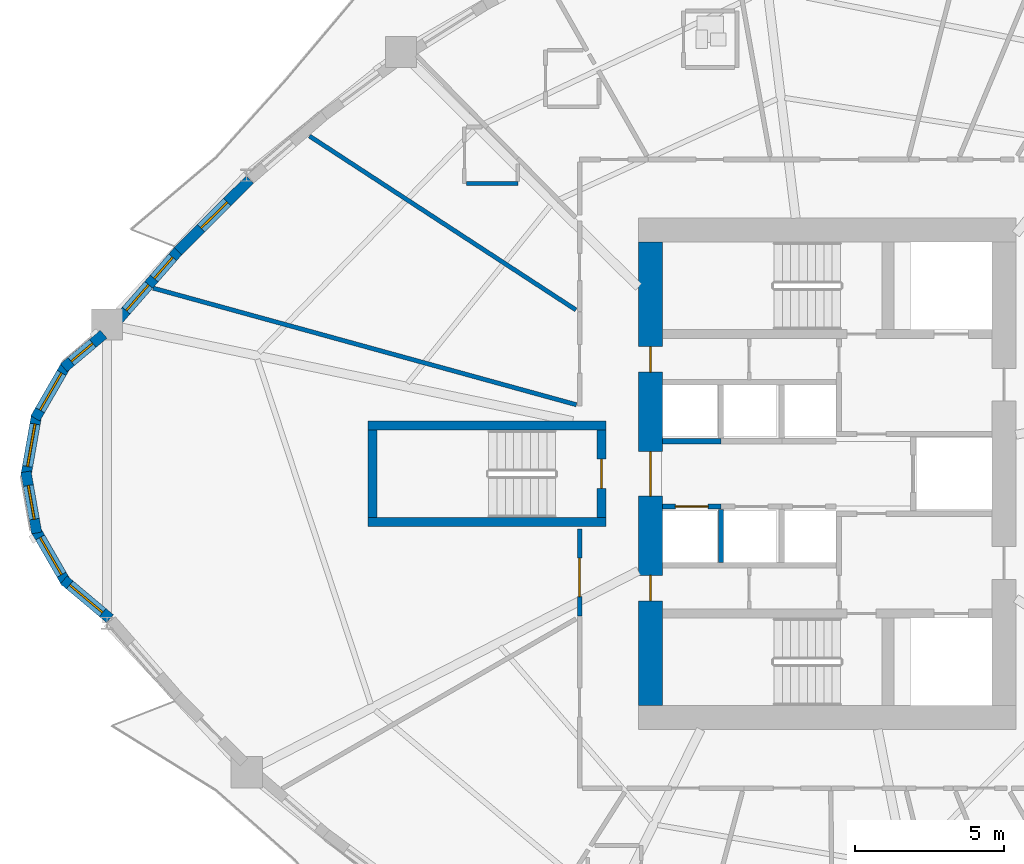
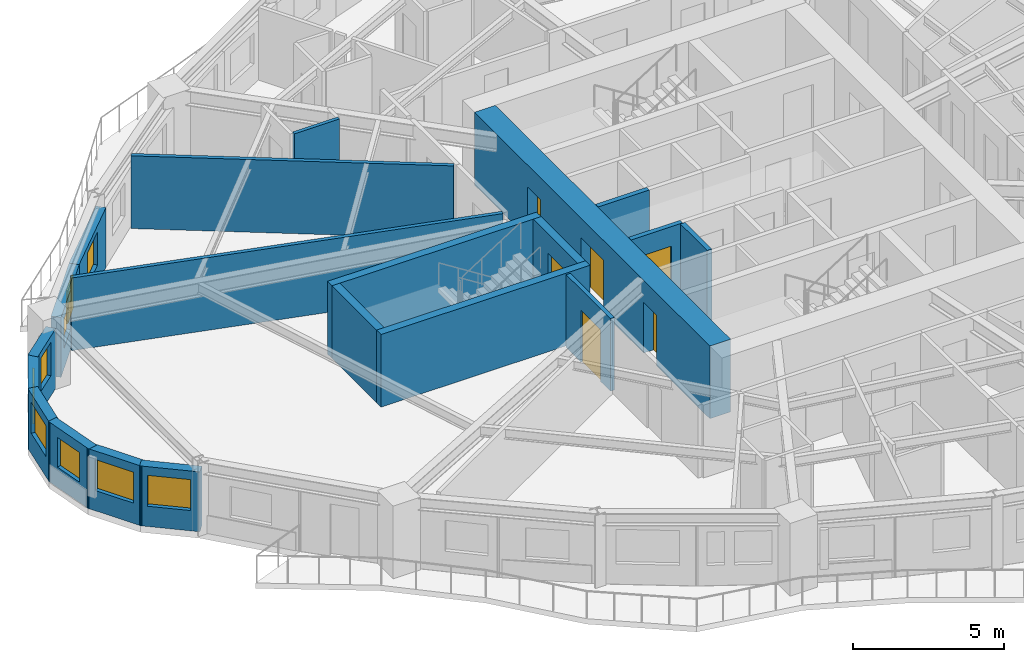
# One storey, part 4 of 13: 20 walls, 9 windows, 6 doors, 15 openings.
"""IFC4 building model written with IfcOpenShell, lengths in metres."""

from ifc_helpers import new_model, si_unit, direction, frame, frame_2d, origin, place, context, subcontext, project, spatial, rectangle, extrude, source, transform, mapped, material, layer, layer_set, type_object, element, fill, save


model = new_model("IFC4")

# Units and contexts
model_context = context("Model", 3, precision=1e-05, world=origin(), true_north=direction((0.0, 1.0)))
body_context = subcontext(model_context, "Body", "Model", "MODEL_VIEW")
ifc_project = project(units=[si_unit("LENGTHUNIT", "METRE"), si_unit("AREAUNIT", "SQUARE_METRE"), si_unit("VOLUMEUNIT", "CUBIC_METRE"), si_unit("PLANEANGLEUNIT", "RADIAN"), si_unit("MASSUNIT", "GRAM", prefix="KILO")], contexts=[model_context])

# Site, building, storey
site_placement = place(None, origin())
site = spatial("IfcSite", under=ifc_project, at=site_placement, CompositionType="ELEMENT")
building_placement = place(site_placement, origin())
building = spatial("IfcBuilding", under=site, at=building_placement, Name="Qafzar Sky-Pleat Residences", CompositionType="ELEMENT")
storey_placement = place(building_placement, frame((0.0, 0.0, 49.39990234375)))
storey = spatial("IfcBuildingStorey", under=building, at=storey_placement, Name="L14", CompositionType="ELEMENT", Elevation=49.39990234375)

# Wall, opening, door
ifc_material_1 = material(Name="Acoustic gypsum plasterboard partition", Category="gypsum")
ifc_layer_1 = layer(ifc_material_1, 0.159912109375)
ifc_layer_set_1 = layer_set([ifc_layer_1], Name="Acoustic gypsum plasterboard partition")
wall_type_1 = type_object("IfcWallType", Name="PART-COR-160", PredefinedType="PARTITIONING", material=ifc_layer_set_1)
wall_1_placement = place(storey_placement, frame((22.02001953125, 21.220947265625, 0.0), z_axis=(0.0, 0.0, 1.0), x_axis=(0.0, 1.0, 0.0)))
wall_1 = element("IfcWall", 1, at=wall_1_placement, inside=storey, type_object=wall_type_1, Name="L14 Partition Wall PART-L14-PW-009", PredefinedType="PARTITIONING", context=body_context, shape_type="SweptSolid", body=[
    extrude(rectangle(XDim=2.928955078125, YDim=0.159912109375, at=frame_2d((1.46435546875, 0.0))), origin(), (0.0, 0.0, 1.0), 2.940185546875),
])
opening_1_placement = place(wall_1_placement, frame((0.64501953125, 0.0, 0.0)))
opening_1 = element("IfcOpeningElement", 2, at=opening_1_placement, cuts=wall_1, Name="Opening ID-05", PredefinedType="OPENING", context=body_context, shape_type="SweptSolid", body=[
    extrude(rectangle(XDim=1.300048828125, YDim=2.10009765625, at=frame_2d((0.64990234375, 1.050048828125))), frame((0.0, 0.08984375, 0.0), z_axis=(0.0, -1.0, 0.0), x_axis=(1.0, 0.0, 0.0)), (0.0, 0.0, 1.0), 0.179931640625),
])
ifc_material_2 = material(Name="Timber-faced fire door", Category="wood")
door_type_1 = type_object("IfcDoorType", Name="DR-LNG-1300", OperationType="DOUBLE_DOOR_SINGLE_SWING", PredefinedType="DOOR", material=ifc_material_2)
shared_shape_1 = source(origin(), body_context, "Body", "SweptSolid", [
    extrude(rectangle(XDim=1.300048828125, YDim=2.10009765625, at=frame_2d((0.64990234375, 1.050048828125))), frame((0.0, 0.02490234375, 0.0), z_axis=(0.0, -1.0, 0.0), x_axis=(1.0, 0.0, 0.0)), (0.0, 0.0, 1.0), 0.050048828125),
])
door_1_placement = place(opening_1_placement, origin())
door_1 = element("IfcDoor", 3, at=door_1_placement, inside=storey, type_object=door_type_1, Name="L14 Academic Seminar Room Door", OperationType="DOUBLE_DOOR_SINGLE_SWING", OverallHeight=2.10009765625, OverallWidth=1.300048828125, PredefinedType="DOOR", context=body_context, shape_type="MappedRepresentation", body=[
    mapped(shared_shape_1, transform((0.0, 0.0, 0.0), x_axis=(1.0, 0.0, 0.0), y_axis=(0.0, 1.0, 0.0), z_axis=(0.0, 0.0, 1.0), scale=1.0)),
])
fill(opening_1, door_1)

ifc_material_3 = material(Name="Concrete blockwork partition", Category="masonry")
ifc_layer_2 = layer(ifc_material_3, 0.179931640625)
ifc_layer_set_2 = layer_set([ifc_layer_2], Name="Concrete blockwork partition")
wall_type_2 = type_object("IfcWallType", Name="PART-SHAFT-180", PredefinedType="PARTITIONING", material=ifc_layer_set_2)
wall_2_placement = place(storey_placement, frame((24.81005859375, 24.89990234375, 0.0), z_axis=(0.0, 0.0, 1.0), x_axis=(1.0, 0.0, 0.0)))
wall_2 = element("IfcWall", 4, at=wall_2_placement, inside=storey, type_object=wall_type_2, Name="L14 Partition Wall PART-L14-P1-N", PredefinedType="PARTITIONING", context=body_context, shape_type="SweptSolid", body=[
    extrude(rectangle(XDim=1.96484375, YDim=0.179931640625, at=frame_2d((0.982421875, 0.0))), origin(), (0.0, 0.0, 1.0), 2.940185546875),
])
opening_2_placement = place(wall_2_placement, frame((0.4326171875, 0.0, 0.0)))
opening_2 = element("IfcOpeningElement", 5, at=opening_2_placement, cuts=wall_2, Name="Opening LD-01", PredefinedType="OPENING", context=body_context, shape_type="SweptSolid", body=[
    extrude(rectangle(XDim=1.10009765625, YDim=2.14990234375, at=frame_2d((0.550048828125, 1.074951171875))), frame((0.0, 0.10009765625, 0.0), z_axis=(0.0, -1.0, 0.0), x_axis=(1.0, 0.0, 0.0)), (0.0, 0.0, 1.0), 0.199951171875),
])
ifc_material_4 = material(Name="Stainless steel sliding landing door", Category="steel")
door_type_2 = type_object("IfcDoorType", Name="DR-LIFT-P", OperationType="DOUBLE_DOOR_SLIDING", PredefinedType="DOOR", material=ifc_material_4)
shared_shape_2 = source(origin(), body_context, "Body", "SweptSolid", [
    extrude(rectangle(XDim=1.10009765625, YDim=2.14990234375, at=frame_2d((0.550048828125, 1.074951171875))), frame((0.0, 0.02490234375, 0.0), z_axis=(0.0, -1.0, 0.0), x_axis=(1.0, 0.0, 0.0)), (0.0, 0.0, 1.0), 0.050048828125),
])
door_2_placement = place(opening_2_placement, origin())
door_2 = element("IfcDoor", 6, at=door_2_placement, inside=storey, type_object=door_type_2, Name="L14 Passenger Lift P1 Landing Door", OperationType="DOUBLE_DOOR_SLIDING", OverallHeight=2.14990234375, OverallWidth=1.10009765625, PredefinedType="DOOR", context=body_context, shape_type="MappedRepresentation", body=[
    mapped(shared_shape_2, transform((0.0, 0.0, 0.0), x_axis=(1.0, 0.0, 0.0), y_axis=(0.0, 1.0, 0.0), z_axis=(0.0, 0.0, 1.0), scale=1.0)),
])
fill(opening_2, door_2)

# Walls
wall_3_placement = place(storey_placement, frame((26.77490234375, 23.02001953125, 0.0), z_axis=(0.0, 0.0, 1.0), x_axis=(0.0, 1.0, 0.0)))
element("IfcWall", 7, at=wall_3_placement, inside=storey, type_object=wall_type_2, Name="L14 Partition Wall PART-L14-P13-DIV-1", PredefinedType="PARTITIONING", context=body_context, shape_type="SweptSolid", body=[
    extrude(rectangle(XDim=1.780029296875, YDim=0.179931640625, at=frame_2d((0.89013671875, 0.0))), origin(), (0.0, 0.0, 1.0), 2.940185546875),
])
wall_4_placement = place(storey_placement, frame((24.81005859375, 27.10009765625, 0.0), z_axis=(0.0, 0.0, 1.0), x_axis=(1.0, 0.0, 0.0)))
element("IfcWall", 8, at=wall_4_placement, inside=storey, type_object=wall_type_2, Name="L14 Partition Wall PART-L14-P4-S", PredefinedType="PARTITIONING", context=body_context, shape_type="SweptSolid", body=[
    extrude(rectangle(XDim=1.96484375, YDim=0.179931640625, at=frame_2d((0.982421875, 0.0))), origin(), (0.0, 0.0, 1.0), 2.940185546875),
])
ifc_layer_3 = layer(ifc_material_1, 0.14501953125)
ifc_layer_set_3 = layer_set([ifc_layer_3], Name="Acoustic gypsum plasterboard partition")
wall_type_3 = type_object("IfcWallType", Name="PART-UNIT-145", PredefinedType="PARTITIONING", material=ifc_layer_set_3)
wall_5_placement = place(storey_placement, frame((7.668212890625, 32.247802734375, 0.0), z_axis=(0.0, 0.0, 1.0), x_axis=(0.964084579717, -0.265595412521, 0.0)))
element("IfcWall", 9, at=wall_5_placement, inside=storey, type_object=wall_type_3, Name="L14 Partition Wall PART-L14-PW-030", PredefinedType="PARTITIONING", context=body_context, shape_type="SweptSolid", body=[
    extrude(rectangle(XDim=14.775634765625, YDim=0.14501953125, at=frame_2d((7.3876953125, 0.0))), origin(), (0.0, 0.0, 1.0), 2.940185546875),
])
wall_6_placement = place(storey_placement, frame((12.9287109375, 37.36474609375, 0.0), z_axis=(0.0, 0.0, 1.0), x_axis=(0.83754252852, -0.54637213776, 0.0)))
element("IfcWall", 10, at=wall_6_placement, inside=storey, type_object=wall_type_3, Name="L14 Partition Wall PART-L14-PW-036", PredefinedType="PARTITIONING", context=body_context, shape_type="SweptSolid", body=[
    extrude(rectangle(XDim=10.7041015625, YDim=0.14501953125, at=frame_2d((5.35205078125, 0.0))), origin(), (0.0, 0.0, 1.0), 2.940185546875),
])
ifc_material_5 = material(Name="Moisture-resistant gypsum partition", Category="gypsum")
ifc_layer_4 = layer(ifc_material_5, 0.1298828125)
ifc_layer_set_4 = layer_set([ifc_layer_4], Name="Moisture-resistant gypsum partition")
wall_type_4 = type_object("IfcWallType", Name="PART-WET-130", PredefinedType="PARTITIONING", material=ifc_layer_set_4)
wall_7_placement = place(storey_placement, frame((18.2109375, 35.763916015625, 0.0), z_axis=(0.0, 0.0, 1.0), x_axis=(1.0, 0.0, 0.0)))
element("IfcWall", 11, at=wall_7_placement, inside=storey, type_object=wall_type_4, Name="L14 Partition Wall PART-L14-PW-066", PredefinedType="PARTITIONING", context=body_context, shape_type="SweptSolid", body=[
    extrude(rectangle(XDim=1.72705078125, YDim=0.1298828125, at=frame_2d((0.863525390625, 0.0))), origin(), (0.0, 0.0, 1.0), 2.940185546875),
])

# Wall, opening, window
ifc_material_6 = material(Name="Precast concrete C40/50 with honed Riyadh limestone", Category="concrete")
ifc_layer_5 = layer(ifc_material_6, 0.35009765625)
ifc_layer_set_5 = layer_set([ifc_layer_5], Name="Precast concrete C40/50 with honed Riyadh limestone")
wall_type_5 = type_object("IfcWallType", Name="WALL-EXT-350", PredefinedType="SOLIDWALL", material=ifc_layer_set_5)
wall_8_placement = place(storey_placement, frame((6.002685546875, 30.696044921875, 0.0), z_axis=(0.0, 0.0, 1.0), x_axis=(-0.766001205563, -0.64283913468, 0.0)))
wall_8 = element("IfcWall", 12, at=wall_8_placement, inside=storey, type_object=wall_type_5, Name="L14 Limestone Facade Wall 1", PredefinedType="SOLIDWALL", context=body_context, shape_type="SweptSolid", body=[
    extrude(rectangle(XDim=1.75244140625, YDim=0.35009765625, at=frame_2d((0.876220703125, 0.0))), origin(), (0.0, 0.0, 1.0), 2.420166015625),
])
opening_3_placement = place(wall_8_placement, frame((0.476318359375, 0.0, 0.820068359375)))
opening_3 = element("IfcOpeningElement", 13, at=opening_3_placement, cuts=wall_8, Name="Opening WN-12", PredefinedType="OPENING", context=body_context, shape_type="SweptSolid", body=[
    extrude(rectangle(XDim=0.949951171875, YDim=1.35009765625, at=frame_2d((0.47509765625, 0.675048828125))), frame((0.0, 0.18505859375, 0.0), z_axis=(0.0, -1.0, 0.0), x_axis=(1.0, 0.0, 0.0)), (0.0, 0.0, 1.0), 0.3701171875),
])
ifc_material_7 = material(Name="Solar-control low-E glass in bronze aluminium frame", Category="glass")
window_type_1 = type_object("IfcWindowType", Name="WIN-12", PartitioningType="SINGLE_PANEL", PredefinedType="WINDOW", material=ifc_material_7)
shared_shape_3 = source(origin(), body_context, "Body", "SweptSolid", [
    extrude(rectangle(XDim=0.949951171875, YDim=1.35009765625, at=frame_2d((0.47509765625, 0.675048828125))), frame((0.0, 0.030029296875, 0.0), z_axis=(0.0, -1.0, 0.0), x_axis=(1.0, 0.0, 0.0)), (0.0, 0.0, 1.0), 0.06005859375),
])
window_1_placement = place(opening_3_placement, origin())
window_1 = element("IfcWindow", 14, at=window_1_placement, inside=storey, type_object=window_type_1, Name="L14 Punched Facade Window 01", OverallHeight=1.35009765625, OverallWidth=0.949951171875, PartitioningType="SINGLE_PANEL", PredefinedType="WINDOW", context=body_context, shape_type="MappedRepresentation", body=[
    mapped(shared_shape_3, transform((0.0, 0.0, 0.0), x_axis=(1.0, 0.0, 0.0), y_axis=(0.0, 1.0, 0.0), z_axis=(0.0, 0.0, 1.0), scale=1.0)),
])
fill(opening_3, window_1)

wall_9_placement = place(storey_placement, frame((4.74755859375, 29.673583984375, 0.0), z_axis=(0.0, 0.0, 1.0), x_axis=(-0.499995423472, -0.866028046028, 0.0)))
wall_9 = element("IfcWall", 15, at=wall_9_placement, inside=storey, type_object=wall_type_5, Name="L14 Limestone Facade Wall 2", PredefinedType="SOLIDWALL", context=body_context, shape_type="SweptSolid", body=[
    extrude(rectangle(XDim=2.09033203125, YDim=0.35009765625, at=frame_2d((1.045166015625, 0.0))), origin(), (0.0, 0.0, 1.0), 2.420166015625),
])
opening_4_placement = place(wall_9_placement, frame((0.3203125, 0.0, 0.820068359375)))
opening_4 = element("IfcOpeningElement", 16, at=opening_4_placement, cuts=wall_9, Name="Opening WN-15", PredefinedType="OPENING", context=body_context, shape_type="SweptSolid", body=[
    extrude(rectangle(XDim=1.449951171875, YDim=1.25, at=frame_2d((0.72509765625, 0.625))), frame((0.0, 0.18505859375, 0.0), z_axis=(0.0, -1.0, 0.0), x_axis=(1.0, 0.0, 0.0)), (0.0, 0.0, 1.0), 0.3701171875),
])
window_type_2 = type_object("IfcWindowType", Name="WIN-15", PartitioningType="SINGLE_PANEL", PredefinedType="WINDOW", material=ifc_material_7)
shared_shape_4 = source(origin(), body_context, "Body", "SweptSolid", [
    extrude(rectangle(XDim=1.449951171875, YDim=1.25, at=frame_2d((0.72509765625, 0.625))), frame((0.0, 0.030029296875, 0.0), z_axis=(0.0, -1.0, 0.0), x_axis=(1.0, 0.0, 0.0)), (0.0, 0.0, 1.0), 0.06005859375),
])
window_2_placement = place(opening_4_placement, origin())
window_2 = element("IfcWindow", 17, at=window_2_placement, inside=storey, type_object=window_type_2, Name="L14 Punched Facade Window 02", OverallHeight=1.25, OverallWidth=1.449951171875, PartitioningType="SINGLE_PANEL", PredefinedType="WINDOW", context=body_context, shape_type="MappedRepresentation", body=[
    mapped(shared_shape_4, transform((0.0, 0.0, 0.0), x_axis=(1.0, 0.0, 0.0), y_axis=(0.0, 1.0, 0.0), z_axis=(0.0, 0.0, 1.0), scale=1.0)),
])
fill(opening_4, window_2)

wall_10_placement = place(storey_placement, frame((3.748779296875, 27.99072265625, 0.0), z_axis=(0.0, 0.0, 1.0), x_axis=(-0.173672066494, -0.984803540469, 0.0)))
wall_10 = element("IfcWall", 18, at=wall_10_placement, inside=storey, type_object=wall_type_5, Name="L14 Limestone Facade Wall 3", PredefinedType="SOLIDWALL", context=body_context, shape_type="SweptSolid", body=[
    extrude(rectangle(XDim=2.09033203125, YDim=0.35009765625, at=frame_2d((1.045166015625, 0.0))), origin(), (0.0, 0.0, 1.0), 2.420166015625),
])
opening_5_placement = place(wall_10_placement, frame((0.3203125, 0.0, 0.820068359375)))
opening_5 = element("IfcOpeningElement", 19, at=opening_5_placement, cuts=wall_10, Name="Opening WN-15", PredefinedType="OPENING", context=body_context, shape_type="SweptSolid", body=[
    extrude(rectangle(XDim=1.449951171875, YDim=1.25, at=frame_2d((0.72509765625, 0.625))), frame((0.0, 0.18505859375, 0.0), z_axis=(0.0, -1.0, 0.0), x_axis=(1.0, 0.0, 0.0)), (0.0, 0.0, 1.0), 0.3701171875),
])
window_3_placement = place(opening_5_placement, origin())
window_3 = element("IfcWindow", 20, at=window_3_placement, inside=storey, type_object=window_type_2, Name="L14 Punched Facade Window 03", OverallHeight=1.25, OverallWidth=1.449951171875, PartitioningType="SINGLE_PANEL", PredefinedType="WINDOW", context=body_context, shape_type="MappedRepresentation", body=[
    mapped(shared_shape_4, transform((0.0, 0.0, 0.0), x_axis=(1.0, 0.0, 0.0), y_axis=(0.0, 1.0, 0.0), z_axis=(0.0, 0.0, 1.0), scale=1.0)),
])
fill(opening_5, window_3)

wall_11_placement = place(storey_placement, frame((3.3857421875, 26.06787109375, 0.0), z_axis=(0.0, 0.0, 1.0), x_axis=(0.173672066494, -0.984803540469, 0.0)))
wall_11 = element("IfcWall", 21, at=wall_11_placement, inside=storey, type_object=wall_type_5, Name="L14 Limestone Facade Wall 4", PredefinedType="SOLIDWALL", context=body_context, shape_type="SweptSolid", body=[
    extrude(rectangle(XDim=2.09033203125, YDim=0.35009765625, at=frame_2d((1.045166015625, 0.0))), origin(), (0.0, 0.0, 1.0), 2.420166015625),
])
opening_6_placement = place(wall_11_placement, frame((0.47021484375, 0.0, 0.820068359375)))
opening_6 = element("IfcOpeningElement", 22, at=opening_6_placement, cuts=wall_11, Name="Opening WN-16", PredefinedType="OPENING", context=body_context, shape_type="SweptSolid", body=[
    extrude(rectangle(XDim=1.14990234375, YDim=1.199951171875, at=frame_2d((0.574951171875, 0.60009765625))), frame((0.0, 0.18505859375, 0.0), z_axis=(0.0, -1.0, 0.0), x_axis=(1.0, 0.0, 0.0)), (0.0, 0.0, 1.0), 0.3701171875),
])
window_type_3 = type_object("IfcWindowType", Name="WIN-16", PartitioningType="SINGLE_PANEL", PredefinedType="WINDOW", material=ifc_material_7)
shared_shape_5 = source(origin(), body_context, "Body", "SweptSolid", [
    extrude(rectangle(XDim=1.14990234375, YDim=1.199951171875, at=frame_2d((0.574951171875, 0.60009765625))), frame((0.0, 0.030029296875, 0.0), z_axis=(0.0, -1.0, 0.0), x_axis=(1.0, 0.0, 0.0)), (0.0, 0.0, 1.0), 0.06005859375),
])
window_4_placement = place(opening_6_placement, origin())
window_4 = element("IfcWindow", 23, at=window_4_placement, inside=storey, type_object=window_type_3, Name="L14 Punched Facade Window 04", OverallHeight=1.199951171875, OverallWidth=1.14990234375, PartitioningType="SINGLE_PANEL", PredefinedType="WINDOW", context=body_context, shape_type="MappedRepresentation", body=[
    mapped(shared_shape_5, transform((0.0, 0.0, 0.0), x_axis=(1.0, 0.0, 0.0), y_axis=(0.0, 1.0, 0.0), z_axis=(0.0, 0.0, 1.0), scale=1.0)),
])
fill(opening_6, window_4)

wall_12_placement = place(storey_placement, frame((3.702392578125, 24.13671875, 0.0), z_axis=(0.0, 0.0, 1.0), x_axis=(0.499995423472, -0.866028046028, 0.0)))
wall_12 = element("IfcWall", 24, at=wall_12_placement, inside=storey, type_object=wall_type_5, Name="L14 Limestone Facade Wall 5", PredefinedType="SOLIDWALL", context=body_context, shape_type="SweptSolid", body=[
    extrude(rectangle(XDim=2.09033203125, YDim=0.35009765625, at=frame_2d((1.045166015625, 0.0))), origin(), (0.0, 0.0, 1.0), 2.420166015625),
])
opening_7_placement = place(wall_12_placement, frame((0.3203125, 0.0, 0.820068359375)))
opening_7 = element("IfcOpeningElement", 25, at=opening_7_placement, cuts=wall_12, Name="Opening WN-15", PredefinedType="OPENING", context=body_context, shape_type="SweptSolid", body=[
    extrude(rectangle(XDim=1.449951171875, YDim=1.25, at=frame_2d((0.72509765625, 0.625))), frame((0.0, 0.18505859375, 0.0), z_axis=(0.0, -1.0, 0.0), x_axis=(1.0, 0.0, 0.0)), (0.0, 0.0, 1.0), 0.3701171875),
])
window_5_placement = place(opening_7_placement, origin())
window_5 = element("IfcWindow", 26, at=window_5_placement, inside=storey, type_object=window_type_2, Name="L14 Punched Facade Window 05", OverallHeight=1.25, OverallWidth=1.449951171875, PartitioningType="SINGLE_PANEL", PredefinedType="WINDOW", context=body_context, shape_type="MappedRepresentation", body=[
    mapped(shared_shape_4, transform((0.0, 0.0, 0.0), x_axis=(1.0, 0.0, 0.0), y_axis=(0.0, 1.0, 0.0), z_axis=(0.0, 0.0, 1.0), scale=1.0)),
])
fill(opening_7, window_5)

wall_13_placement = place(storey_placement, frame((4.660400390625, 22.430419921875, 0.0), z_axis=(0.0, 0.0, 1.0), x_axis=(0.766040796373, -0.642791955684, 0.0)))
wall_13 = element("IfcWall", 27, at=wall_13_placement, inside=storey, type_object=wall_type_5, Name="L14 Limestone Facade Wall 6", PredefinedType="SOLIDWALL", context=body_context, shape_type="SweptSolid", body=[
    extrude(rectangle(XDim=2.032470703125, YDim=0.35009765625, at=frame_2d((1.01611328125, 0.0))), origin(), (0.0, 0.0, 1.0), 2.420166015625),
])
opening_8_placement = place(wall_13_placement, frame((0.26123046875, 0.0, 0.820068359375)))
opening_8 = element("IfcOpeningElement", 28, at=opening_8_placement, cuts=wall_13, Name="Opening WN-15", PredefinedType="OPENING", context=body_context, shape_type="SweptSolid", body=[
    extrude(rectangle(XDim=1.449951171875, YDim=1.25, at=frame_2d((0.72509765625, 0.625))), frame((0.0, 0.18505859375, 0.0), z_axis=(0.0, -1.0, 0.0), x_axis=(1.0, 0.0, 0.0)), (0.0, 0.0, 1.0), 0.3701171875),
])
window_6_placement = place(opening_8_placement, origin())
window_6 = element("IfcWindow", 29, at=window_6_placement, inside=storey, type_object=window_type_2, Name="L14 Punched Facade Window 06", OverallHeight=1.25, OverallWidth=1.449951171875, PartitioningType="SINGLE_PANEL", PredefinedType="WINDOW", context=body_context, shape_type="MappedRepresentation", body=[
    mapped(shared_shape_4, transform((0.0, 0.0, 0.0), x_axis=(1.0, 0.0, 0.0), y_axis=(0.0, 1.0, 0.0), z_axis=(0.0, 0.0, 1.0), scale=1.0)),
])
fill(opening_8, window_6)

wall_14_placement = place(storey_placement, frame((10.924072265625, 35.9033203125, 0.0), z_axis=(0.0, 0.0, 1.0), x_axis=(-0.708390611179, -0.705820616016, 0.0)))
wall_14 = element("IfcWall", 30, at=wall_14_placement, inside=storey, type_object=wall_type_5, Name="L14 Limestone Facade Wall 47", PredefinedType="SOLIDWALL", context=body_context, shape_type="SweptSolid", body=[
    extrude(rectangle(XDim=3.419921875, YDim=0.35009765625, at=frame_2d((1.7099609375, 0.0))), origin(), (0.0, 0.0, 1.0), 2.420166015625),
])
opening_9_placement = place(wall_14_placement, frame((1.074951171875, 0.0, 0.820068359375)))
opening_9 = element("IfcOpeningElement", 31, at=opening_9_placement, cuts=wall_14, Name="Opening WN-11", PredefinedType="OPENING", context=body_context, shape_type="SweptSolid", body=[
    extrude(rectangle(XDim=1.25, YDim=1.35009765625, at=frame_2d((0.625, 0.675048828125))), frame((0.0, 0.18505859375, 0.0), z_axis=(0.0, -1.0, 0.0), x_axis=(1.0, 0.0, 0.0)), (0.0, 0.0, 1.0), 0.3701171875),
])
window_type_4 = type_object("IfcWindowType", Name="WIN-11", PartitioningType="SINGLE_PANEL", PredefinedType="WINDOW", material=ifc_material_7)
shared_shape_6 = source(origin(), body_context, "Body", "SweptSolid", [
    extrude(rectangle(XDim=1.25, YDim=1.35009765625, at=frame_2d((0.625, 0.675048828125))), frame((0.0, 0.030029296875, 0.0), z_axis=(0.0, -1.0, 0.0), x_axis=(1.0, 0.0, 0.0)), (0.0, 0.0, 1.0), 0.06005859375),
])
window_7_placement = place(opening_9_placement, origin())
window_7 = element("IfcWindow", 32, at=window_7_placement, inside=storey, type_object=window_type_4, Name="L14 Punched Facade Window 47", OverallHeight=1.35009765625, OverallWidth=1.25, PartitioningType="SINGLE_PANEL", PredefinedType="WINDOW", context=body_context, shape_type="MappedRepresentation", body=[
    mapped(shared_shape_6, transform((0.0, 0.0, 0.0), x_axis=(1.0, 0.0, 0.0), y_axis=(0.0, 1.0, 0.0), z_axis=(0.0, 0.0, 1.0), scale=1.0)),
])
fill(opening_9, window_7)

# Wall, openings, windows
wall_15_placement = place(storey_placement, frame((8.5615234375, 33.5537109375, 0.0), z_axis=(0.0, 0.0, 1.0), x_axis=(-0.657600137419, -0.753367147722, 0.0)))
wall_15 = element("IfcWall", 33, at=wall_15_placement, inside=storey, type_object=wall_type_5, Name="L14 Limestone Facade Wall 48", PredefinedType="SOLIDWALL", context=body_context, shape_type="SweptSolid", body=[
    extrude(rectangle(XDim=3.212158203125, YDim=0.35009765625, at=frame_2d((1.60595703125, 0.0))), origin(), (0.0, 0.0, 1.0), 2.420166015625),
])
opening_10_placement = place(wall_15_placement, frame((0.355712890625, 0.0, 0.820068359375)))
opening_10 = element("IfcOpeningElement", 34, at=opening_10_placement, cuts=wall_15, Name="Opening WN-12", PredefinedType="OPENING", context=body_context, shape_type="SweptSolid", body=[
    extrude(rectangle(XDim=0.949951171875, YDim=1.35009765625, at=frame_2d((0.47509765625, 0.675048828125))), frame((0.0, 0.18505859375, 0.0), z_axis=(0.0, -1.0, 0.0), x_axis=(1.0, 0.0, 0.0)), (0.0, 0.0, 1.0), 0.3701171875),
])
opening_11_placement = place(wall_15_placement, frame((1.587158203125, 0.0, 0.820068359375)))
opening_11 = element("IfcOpeningElement", 35, at=opening_11_placement, cuts=wall_15, Name="Opening WN-16", PredefinedType="OPENING", context=body_context, shape_type="SweptSolid", body=[
    extrude(rectangle(XDim=1.14990234375, YDim=1.199951171875, at=frame_2d((0.574951171875, 0.60009765625))), frame((0.0, 0.18505859375, 0.0), z_axis=(0.0, -1.0, 0.0), x_axis=(1.0, 0.0, 0.0)), (0.0, 0.0, 1.0), 0.3701171875),
])
window_8_placement = place(opening_10_placement, origin())
window_8 = element("IfcWindow", 36, at=window_8_placement, inside=storey, type_object=window_type_1, Name="L14 Punched Facade Window 48", OverallHeight=1.35009765625, OverallWidth=0.949951171875, PartitioningType="SINGLE_PANEL", PredefinedType="WINDOW", context=body_context, shape_type="MappedRepresentation", body=[
    mapped(shared_shape_3, transform((0.0, 0.0, 0.0), x_axis=(1.0, 0.0, 0.0), y_axis=(0.0, 1.0, 0.0), z_axis=(0.0, 0.0, 1.0), scale=1.0)),
])
fill(opening_10, window_8)
window_9_placement = place(opening_11_placement, origin())
window_9 = element("IfcWindow", 37, at=window_9_placement, inside=storey, type_object=window_type_3, Name="L14 Punched Facade Window 48-2", OverallHeight=1.199951171875, OverallWidth=1.14990234375, PartitioningType="SINGLE_PANEL", PredefinedType="WINDOW", context=body_context, shape_type="MappedRepresentation", body=[
    mapped(shared_shape_5, transform((0.0, 0.0, 0.0), x_axis=(1.0, 0.0, 0.0), y_axis=(0.0, 1.0, 0.0), z_axis=(0.0, 0.0, 1.0), scale=1.0)),
])
fill(opening_11, window_9)

# Walls
ifc_material_8 = material(Name="Concrete C60/75", Category="concrete")
ifc_layer_6 = layer(ifc_material_8, 0.300048828125)
ifc_layer_set_6 = layer_set([ifc_layer_6], Name="Concrete C60/75")
wall_type_6 = type_object("IfcWallType", Name="WALL-SHEAR-300", PredefinedType="SHEAR", material=ifc_layer_set_6)
for number, where, z_axis, x_axis, name in (
    (38, (14.89990234375, 24.375, 0.0), (0.0, 0.0, 1.0), (1.0, 0.0, 0.0), "L14 ST3 wall S"),
    (39, (22.89990234375, 27.625, 0.0), (0.0, 0.0, 1.0), (-1.0, 0.0, 0.0), "L14 ST3 wall N"),
):
    element("IfcWall", number, at=place(storey_placement, frame(where, z_axis=z_axis, x_axis=x_axis)), inside=storey, type_object=wall_type_6, Name=name, PredefinedType="SHEAR", context=body_context, shape_type="SweptSolid", body=[
        extrude(rectangle(XDim=8.0, YDim=0.300048828125, at=frame_2d((4.0, 0.0))), origin(), (0.0, 0.0, 1.0), 2.940185546875),
    ])
wall_16_placement = place(storey_placement, frame((15.050048828125, 27.47509765625, 0.0), z_axis=(0.0, 0.0, 1.0), x_axis=(0.0, -1.0, 0.0)))
element("IfcWall", 40, at=wall_16_placement, inside=storey, type_object=wall_type_6, Name="L14 ST3 wall W", PredefinedType="SHEAR", context=body_context, shape_type="SweptSolid", body=[
    extrude(rectangle(XDim=2.9501953125, YDim=0.300048828125, at=frame_2d((1.47509765625, 0.0))), origin(), (0.0, 0.0, 1.0), 2.940185546875),
])

# Wall, opening, door
wall_17_placement = place(storey_placement, frame((22.75, 24.52490234375, 0.0), z_axis=(0.0, 0.0, 1.0), x_axis=(0.0, 1.0, 0.0)))
wall_17 = element("IfcWall", 41, at=wall_17_placement, inside=storey, type_object=wall_type_6, Name="L14 ST3 wall E", PredefinedType="SHEAR", context=body_context, shape_type="SweptSolid", body=[
    extrude(rectangle(XDim=2.9501953125, YDim=0.300048828125, at=frame_2d((1.47509765625, 0.0))), origin(), (0.0, 0.0, 1.0), 2.940185546875),
])
opening_12_placement = place(wall_17_placement, frame((0.985107421875, 0.0, 0.0)))
opening_12 = element("IfcOpeningElement", 42, at=opening_12_placement, cuts=wall_17, Name="Opening ID-01", PredefinedType="OPENING", context=body_context, shape_type="SweptSolid", body=[
    extrude(rectangle(XDim=0.97998046875, YDim=2.14990234375, at=frame_2d((0.489990234375, 1.074951171875))), frame((0.0, 0.16015625, 0.0), z_axis=(0.0, -1.0, 0.0), x_axis=(1.0, 0.0, 0.0)), (0.0, 0.0, 1.0), 0.320068359375),
])
door_type_3 = type_object("IfcDoorType", Name="DR-STAIR-980", OperationType="NOTDEFINED", PredefinedType="DOOR", material=ifc_material_2)
shared_shape_7 = source(origin(), body_context, "Body", "SweptSolid", [
    extrude(rectangle(XDim=0.97998046875, YDim=2.14990234375, at=frame_2d((0.489990234375, 1.074951171875))), frame((0.0, 0.02490234375, 0.0), z_axis=(0.0, -1.0, 0.0), x_axis=(1.0, 0.0, 0.0)), (0.0, 0.0, 1.0), 0.050048828125),
])
door_3_placement = place(opening_12_placement, origin())
door_3 = element("IfcDoor", 43, at=door_3_placement, inside=storey, type_object=door_type_3, Name="L14 Stair ST3 Fire Door", OperationType="SINGLE_SWING_RIGHT", OverallHeight=2.14990234375, OverallWidth=0.97998046875, PredefinedType="DOOR", context=body_context, shape_type="MappedRepresentation", body=[
    mapped(shared_shape_7, transform((0.0, 0.0, 0.0), x_axis=(1.0, 0.0, 0.0), y_axis=(0.0, 1.0, 0.0), z_axis=(0.0, 0.0, 1.0), scale=1.0)),
])
fill(opening_12, door_3)

# Wall, openings, doors
ifc_layer_7 = layer(ifc_material_8, 0.800048828125)
ifc_layer_set_7 = layer_set([ifc_layer_7], Name="Concrete C60/75")
wall_type_7 = type_object("IfcWallType", Name="WALL-SHEAR-800", PredefinedType="SHEAR", material=ifc_layer_set_7)
wall_18_placement = place(storey_placement, frame((24.39990234375, 33.800048828125, 0.0), z_axis=(0.0, 0.0, 1.0), x_axis=(0.0, -1.0, 0.0)))
wall_18 = element("IfcWall", 44, at=wall_18_placement, inside=storey, type_object=wall_type_7, Name="L14 CORE wall W", PredefinedType="SHEAR", context=body_context, shape_type="SweptSolid", body=[
    extrude(rectangle(XDim=15.60009765625, YDim=0.800048828125, at=frame_2d((7.800048828125, 0.0))), origin(), (0.0, 0.0, 1.0), 2.940185546875),
])
opening_13_placement = place(wall_18_placement, frame((7.050048828125, 0.0, 0.0)))
opening_13 = element("IfcOpeningElement", 45, at=opening_13_placement, cuts=wall_18, Name="Opening ID-03", PredefinedType="OPENING", context=body_context, shape_type="SweptSolid", body=[
    extrude(rectangle(XDim=1.5, YDim=2.14990234375, at=frame_2d((0.75, 1.074951171875))), frame((0.0, 0.41015625, 0.0), z_axis=(0.0, -1.0, 0.0), x_axis=(1.0, 0.0, 0.0)), (0.0, 0.0, 1.0), 0.820068359375),
])
opening_14_placement = place(wall_18_placement, frame((3.52001953125, 0.0, 0.0)))
opening_14 = element("IfcOpeningElement", 46, at=opening_14_placement, cuts=wall_18, Name="Opening ID-09", PredefinedType="OPENING", context=body_context, shape_type="SweptSolid", body=[
    extrude(rectangle(XDim=0.860107421875, YDim=2.050048828125, at=frame_2d((0.43017578125, 1.02490234375))), frame((0.0, 0.41015625, 0.0), z_axis=(0.0, -1.0, 0.0), x_axis=(1.0, 0.0, 0.0)), (0.0, 0.0, 1.0), 0.820068359375),
])
opening_15_placement = place(wall_18_placement, frame((11.219970703125, 0.0, 0.0)))
opening_15 = element("IfcOpeningElement", 47, at=opening_15_placement, cuts=wall_18, Name="Opening ID-09", PredefinedType="OPENING", context=body_context, shape_type="SweptSolid", body=[
    extrude(rectangle(XDim=0.860107421875, YDim=2.050048828125, at=frame_2d((0.43017578125, 1.02490234375))), frame((0.0, 0.41015625, 0.0), z_axis=(0.0, -1.0, 0.0), x_axis=(1.0, 0.0, 0.0)), (0.0, 0.0, 1.0), 0.820068359375),
])
door_type_4 = type_object("IfcDoorType", Name="DR-COR-1500", OperationType="DOUBLE_DOOR_SINGLE_SWING", PredefinedType="DOOR", material=ifc_material_2)
shared_shape_8 = source(origin(), body_context, "Body", "SweptSolid", [
    extrude(rectangle(XDim=1.5, YDim=2.14990234375, at=frame_2d((0.75, 1.074951171875))), frame((0.0, 0.02490234375, 0.0), z_axis=(0.0, -1.0, 0.0), x_axis=(1.0, 0.0, 0.0)), (0.0, 0.0, 1.0), 0.050048828125),
])
door_4_placement = place(opening_13_placement, origin())
door_4 = element("IfcDoor", 48, at=door_4_placement, inside=storey, type_object=door_type_4, Name="L14 Lift Lobby West Double Door", OperationType="DOUBLE_DOOR_SINGLE_SWING", OverallHeight=2.14990234375, OverallWidth=1.5, PredefinedType="DOOR", context=body_context, shape_type="MappedRepresentation", body=[
    mapped(shared_shape_8, transform((0.0, 0.0, 0.0), x_axis=(1.0, 0.0, 0.0), y_axis=(0.0, 1.0, 0.0), z_axis=(0.0, 0.0, 1.0), scale=1.0)),
])
fill(opening_13, door_4)
door_type_5 = type_object("IfcDoorType", Name="DR-SVC-860", OperationType="NOTDEFINED", PredefinedType="DOOR", material=ifc_material_2)
shared_shape_9 = source(origin(), body_context, "Body", "SweptSolid", [
    extrude(rectangle(XDim=0.860107421875, YDim=2.050048828125, at=frame_2d((0.43017578125, 1.02490234375))), frame((0.0, 0.02490234375, 0.0), z_axis=(0.0, -1.0, 0.0), x_axis=(1.0, 0.0, 0.0)), (0.0, 0.0, 1.0), 0.050048828125),
])
door_5_placement = place(opening_14_placement, origin())
door_5 = element("IfcDoor", 49, at=door_5_placement, inside=storey, type_object=door_type_5, Name="L14 Core North-West Service Door", OperationType="SINGLE_SWING_LEFT", OverallHeight=2.050048828125, OverallWidth=0.860107421875, PredefinedType="DOOR", context=body_context, shape_type="MappedRepresentation", body=[
    mapped(shared_shape_9, transform((0.0, 0.0, 0.0), x_axis=(1.0, 0.0, 0.0), y_axis=(0.0, 1.0, 0.0), z_axis=(0.0, 0.0, 1.0), scale=1.0)),
])
fill(opening_14, door_5)
door_6_placement = place(opening_15_placement, origin())
door_6 = element("IfcDoor", 50, at=door_6_placement, inside=storey, type_object=door_type_5, Name="L14 Core South-West Service Door", OperationType="SINGLE_SWING_RIGHT", OverallHeight=2.050048828125, OverallWidth=0.860107421875, PredefinedType="DOOR", context=body_context, shape_type="MappedRepresentation", body=[
    mapped(shared_shape_9, transform((0.0, 0.0, 0.0), x_axis=(1.0, 0.0, 0.0), y_axis=(0.0, 1.0, 0.0), z_axis=(0.0, 0.0, 1.0), scale=1.0)),
])
fill(opening_15, door_6)

save(model, "model.ifc")
